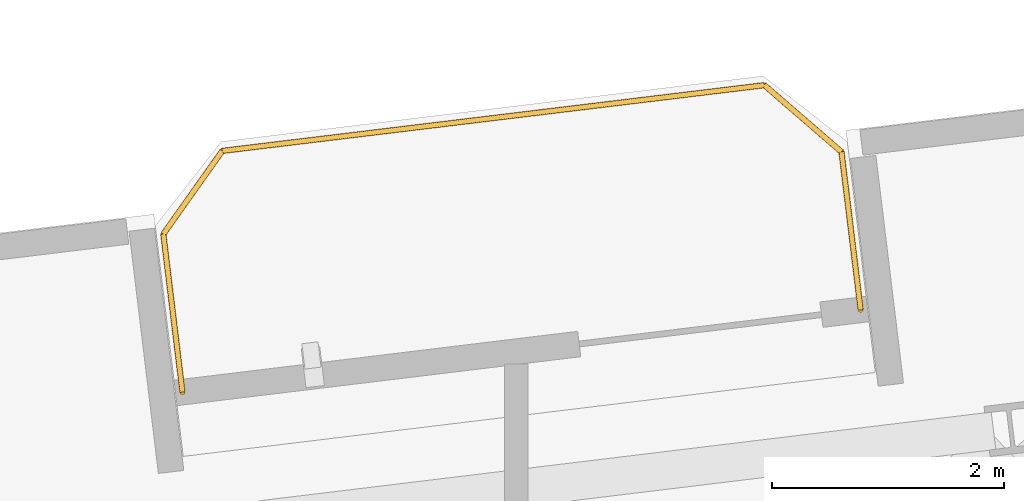
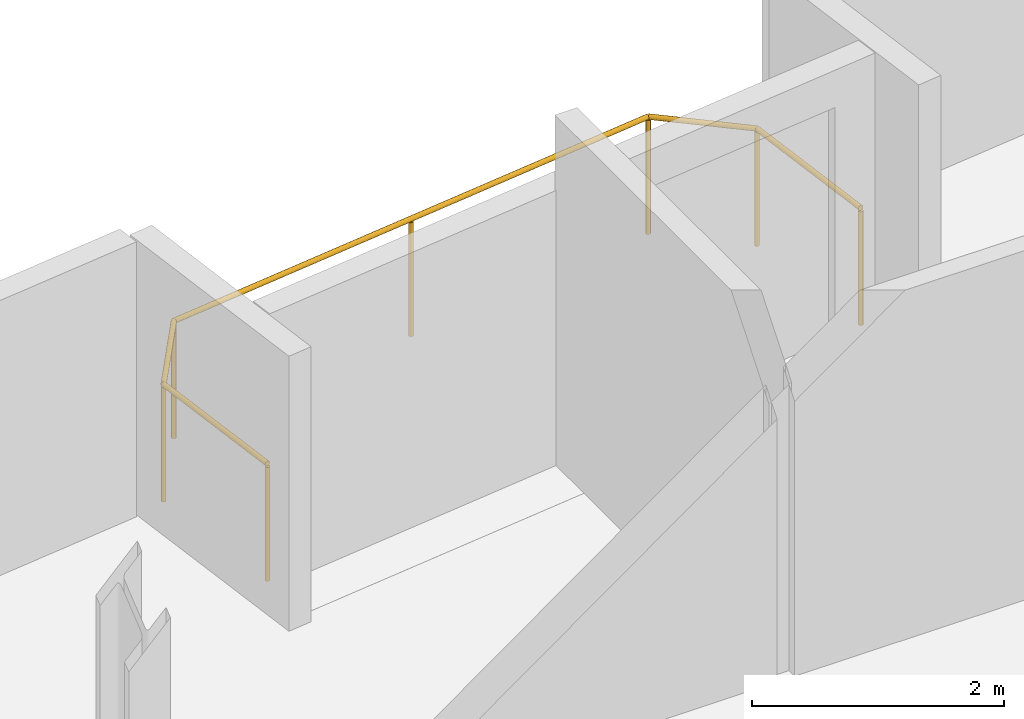
# One storey, part 22 of 22: 1 railing.
"""IFC4 building model written with IfcOpenShell, lengths in metres."""

from ifc_helpers import new_model, si_unit, direction, frame, origin, origin_2d, place, context, subcontext, project, spatial, circle, extrude, material, type_object, element, save


model = new_model("IFC4")

# Units and contexts
model_context = context("Model", 3, precision=1e-05, world=origin(), true_north=direction((0.0, 1.0)))
body_context = subcontext(model_context, "Body", "Model", "MODEL_VIEW")
ifc_project = project(units=[si_unit("LENGTHUNIT", "METRE"), si_unit("AREAUNIT", "SQUARE_METRE"), si_unit("VOLUMEUNIT", "CUBIC_METRE"), si_unit("PLANEANGLEUNIT", "RADIAN"), si_unit("MASSUNIT", "GRAM", prefix="KILO")], contexts=[model_context])

# Site, building, storey
site_placement = place(None, origin())
site = spatial("IfcSite", under=ifc_project, at=site_placement, CompositionType="ELEMENT")
building_placement = place(site_placement, origin())
building = spatial("IfcBuilding", under=site, at=building_placement, Name="Varnelok Gate Tower", CompositionType="ELEMENT")
storey_placement = place(building_placement, frame((0.0, 0.0, 204.199951171875)))
storey = spatial("IfcBuildingStorey", under=building, at=storey_placement, Name="L52", CompositionType="ELEMENT", Elevation=204.199951171875)

# Railing
ifc_material = material(Name="Low-E Laminated Double Glazing IGU", Category="glass")
railing_type = type_object("IfcRailingType", Name="RL-BALC-1150", PredefinedType="BALUSTRADE", material=ifc_material)
railing_placement = place(storey_placement, frame((48.127685546875, 46.88134765625, 0.0)))
element("IfcRailing", 1, at=railing_placement, inside=storey, type_object=railing_type, Name="L52 North Terrace Balustrade 6", PredefinedType="BALUSTRADE", context=body_context, shape_type="SweptSolid", body=[
    extrude(circle(Radius=0.02392578125, at=origin_2d()), frame((0.0, 0.0, 1.1259765625), z_axis=(-0.120304754056, 0.992737007546, 0.0), x_axis=(-0.992737007546, -0.120304754056, 0.0)), (0.0, 0.0, 1.0), 1.369873046875),
    extrude(circle(Radius=0.02392578125, at=origin_2d()), frame((-0.164794921875, 1.35986328125, 1.1259765625), z_axis=(0.577971037086, 0.816057277579, 0.0), x_axis=(-0.816057277579, 0.577971037086, 0.0)), (0.0, 0.0, 1.0), 0.877685546875),
    extrude(circle(Radius=0.02392578125, at=origin_2d()), frame((0.342529296875, 2.076171875, 1.1259765625), z_axis=(0.99273133746, 0.120351533534, 0.0), x_axis=(-0.120351533534, 0.99273133746, 0.0)), (0.0, 0.0, 1.0), 4.7001953125),
    extrude(circle(Radius=0.02392578125, at=origin_2d()), frame((5.008544921875, 2.641845703125, 1.1259765625), z_axis=(0.756303655992, -0.654220742513, 0.0), x_axis=(0.654220742513, 0.756303655992, 0.0)), (0.0, 0.0, 1.0), 0.877685546875),
    extrude(circle(Radius=0.02392578125, at=origin_2d()), frame((5.67236328125, 2.067626953125, 1.1259765625), z_axis=(0.1204590856, -0.992718292718, 0.0), x_axis=(0.992718292718, 0.1204590856, 0.0)), (0.0, 0.0, 1.0), 1.3701171875),
    extrude(circle(Radius=0.02099609375, at=origin_2d()), origin(), (0.0, 0.0, 1.0), 1.101806640625),
    extrude(circle(Radius=0.02099609375, at=origin_2d()), frame((-0.164794921875, 1.35986328125, 0.0)), (0.0, 0.0, 1.0), 1.101806640625),
    extrude(circle(Radius=0.02099609375, at=origin_2d()), frame((0.342529296875, 2.076171875, 0.0)), (0.0, 0.0, 1.0), 1.101806640625),
    extrude(circle(Radius=0.02099609375, at=origin_2d()), frame((2.675537109375, 2.35888671875, 0.0)), (0.0, 0.0, 1.0), 1.101806640625),
    extrude(circle(Radius=0.02099609375, at=origin_2d()), frame((5.008544921875, 2.641845703125, 0.0)), (0.0, 0.0, 1.0), 1.101806640625),
    extrude(circle(Radius=0.02099609375, at=origin_2d()), frame((5.67236328125, 2.067626953125, 0.0)), (0.0, 0.0, 1.0), 1.101806640625),
    extrude(circle(Radius=0.02099609375, at=origin_2d()), frame((5.83740234375, 0.70751953125, 0.0)), (0.0, 0.0, 1.0), 1.101806640625),
])

save(model, "model.ifc")
